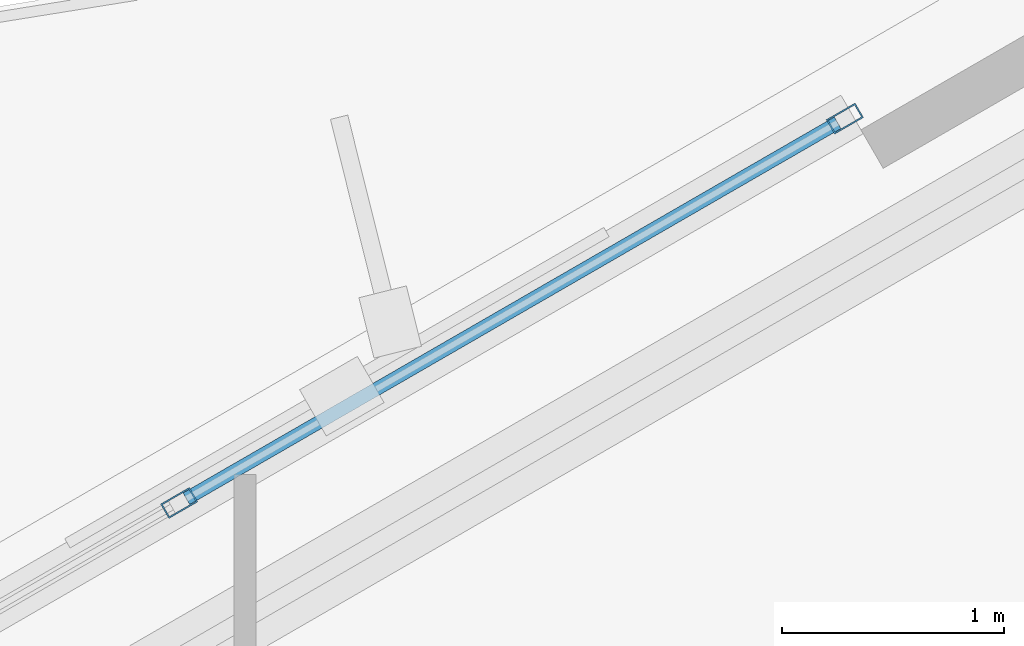
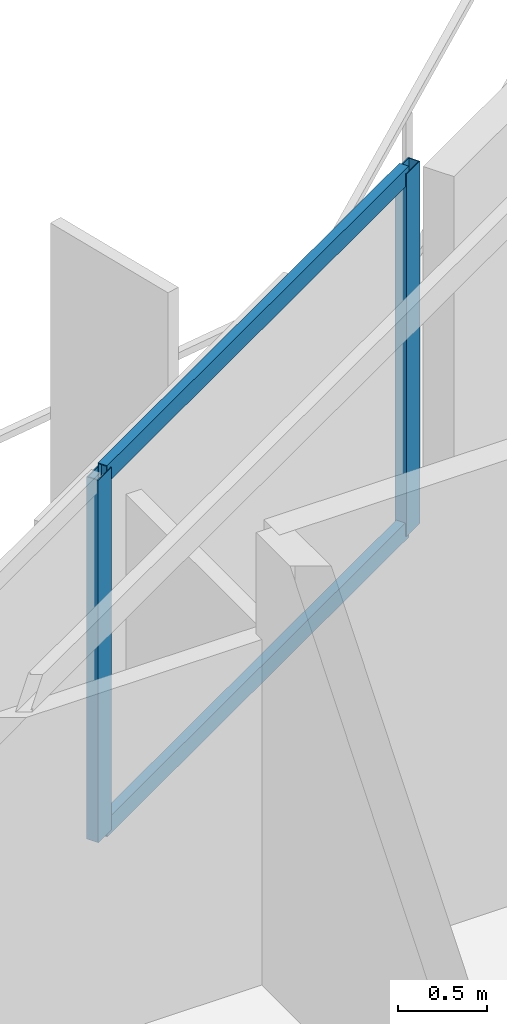
# One storey, part 10 of 18: 4 members, 1 element without a shape of its own.
"""IFC4 building model written with IfcOpenShell, lengths in metres."""

from ifc_helpers import new_model, si_unit, direction, frame, origin, origin_2d, place, context, subcontext, project, spatial, hollow_rectangle, extrude, material, layer, layer_set, material_profile, profile_set, type_object, element, aggregate, save


model = new_model("IFC4")

# Units and contexts
model_context = context("Model", 3, precision=1e-05, world=origin(), true_north=direction((0.0, 1.0)))
body_context = subcontext(model_context, "Body", "Model", "MODEL_VIEW")
ifc_project = project(units=[si_unit("LENGTHUNIT", "METRE"), si_unit("AREAUNIT", "SQUARE_METRE"), si_unit("VOLUMEUNIT", "CUBIC_METRE"), si_unit("PLANEANGLEUNIT", "RADIAN"), si_unit("MASSUNIT", "GRAM", prefix="KILO")], contexts=[model_context])

# Site, building, storey
site_placement = place(None, origin())
site = spatial("IfcSite", under=ifc_project, at=site_placement, CompositionType="ELEMENT")
building_placement = place(site_placement, origin())
building = spatial("IfcBuilding", under=site, at=building_placement, Name="Mersakhor Tower and Convention Hall", CompositionType="ELEMENT")
storey_placement = place(building_placement, frame((0.0, 0.0, 150.89990234375)))
storey = spatial("IfcBuildingStorey", under=building, at=storey_placement, Name="L42", CompositionType="ELEMENT", Elevation=150.89990234375)

# Curtain wall, members
ifc_material_1 = material(Name="Dark solar low-E aluminium curtain wall", Category="aluminium")
ifc_layer = layer(ifc_material_1, 0.169921875)
ifc_layer_set = layer_set([ifc_layer], Name="Dark solar low-E aluminium curtain wall")
curtain_wall_type = type_object("IfcCurtainWallType", Name="CW-SYS-02", PredefinedType="USERDEFINED", material=ifc_layer_set)
curtain_wall_placement = place(storey_placement, origin())
curtain_wall = element("IfcCurtainWall", 1, at=curtain_wall_placement, inside=storey, type_object=curtain_wall_type, Name="L42 Dark-Glass Curtain Wall F1-B2", ObjectType="CURTAIN WALL", PredefinedType="USERDEFINED")
ifc_material_2 = material(Name="Anodised aluminium EN AW-6063 T6", Category="aluminium")
ifc_material_profile_1 = material_profile(ifc_material_2, hollow_rectangle(XDim=0.074951171875, YDim=0.14990234375, WallThickness=0.00634765625, at=origin_2d()), Name="RHS 150x75x6.3")
ifc_profile_set_1 = profile_set([ifc_material_profile_1], Name="Anodised aluminium EN AW-6063 T6")
member_type_1 = type_object("IfcMemberType", Name="CWM-150x75", PredefinedType="MULLION", material=ifc_profile_set_1)
member_1_placement = place(storey_placement, frame((23.904052734375, 39.072021484375, 0.2001953125), z_axis=(0.0, 0.0, 1.0), x_axis=(-0.499990468363, 0.866030906807, 0.0)))
member_1 = element("IfcMember", 2, at=member_1_placement, type_object=member_type_1, Name="CW-02 mullion 3", PredefinedType="MULLION", context=body_context, shape_type="SweptSolid", body=[
    extrude(hollow_rectangle(XDim=0.074951171875, YDim=0.14990234375, WallThickness=0.00634765625, at=origin_2d()), origin(), (0.0, 0.0, 1.0), 2.47998046875),
])
member_2_placement = place(storey_placement, frame((26.8984375, 40.80078125, 0.2001953125), z_axis=(0.0, 0.0, 1.0), x_axis=(-0.499990468363, 0.866030906807, 0.0)))
member_2 = element("IfcMember", 3, at=member_2_placement, type_object=member_type_1, Name="CW-02 mullion 4", PredefinedType="MULLION", context=body_context, shape_type="SweptSolid", body=[
    extrude(hollow_rectangle(XDim=0.074951171875, YDim=0.14990234375, WallThickness=0.00634765625, at=origin_2d()), origin(), (0.0, 0.0, 1.0), 2.47998046875),
])
ifc_material_3 = material(Name="Anodised aluminium EN AW-6063 T6", Category="aluminium")
ifc_material_profile_2 = material_profile(ifc_material_3, hollow_rectangle(XDim=0.06005859375, YDim=0.1201171875, WallThickness=0.0048828125, at=origin_2d()), Name="RHS 120x60x5")
ifc_profile_set_2 = profile_set([ifc_material_profile_2], Name="Anodised aluminium EN AW-6063 T6")
member_type_2 = type_object("IfcMemberType", Name="CWT-120x60", PredefinedType="USERDEFINED", material=ifc_profile_set_2)
member_3_placement = place(storey_placement, frame((23.9365234375, 39.0908203125, 0.22998046875), z_axis=(0.866044963944, 0.49996611928, 0.0), x_axis=(-0.49996611928, 0.866044963944, 0.0)))
member_3 = element("IfcMember", 4, at=member_3_placement, type_object=member_type_2, Name="CW-02 transom 3.1", ObjectType="TRANSOM", PredefinedType="USERDEFINED", context=body_context, shape_type="SweptSolid", body=[
    extrude(hollow_rectangle(XDim=0.06005859375, YDim=0.1201171875, WallThickness=0.0048828125, at=origin_2d()), origin(), (0.0, 0.0, 1.0), 3.382568359375),
])
member_4_placement = place(storey_placement, frame((23.9365234375, 39.0908203125, 2.650146484375), z_axis=(0.866044963944, 0.49996611928, 0.0), x_axis=(-0.49996611928, 0.866044963944, 0.0)))
member_4 = element("IfcMember", 5, at=member_4_placement, type_object=member_type_2, Name="CW-02 transom 3.2", ObjectType="TRANSOM", PredefinedType="USERDEFINED", context=body_context, shape_type="SweptSolid", body=[
    extrude(hollow_rectangle(XDim=0.06005859375, YDim=0.1201171875, WallThickness=0.0048828125, at=origin_2d()), origin(), (0.0, 0.0, 1.0), 3.382568359375),
])
aggregate(curtain_wall, [member_1, member_2, member_3, member_4])

save(model, "model.ifc")
